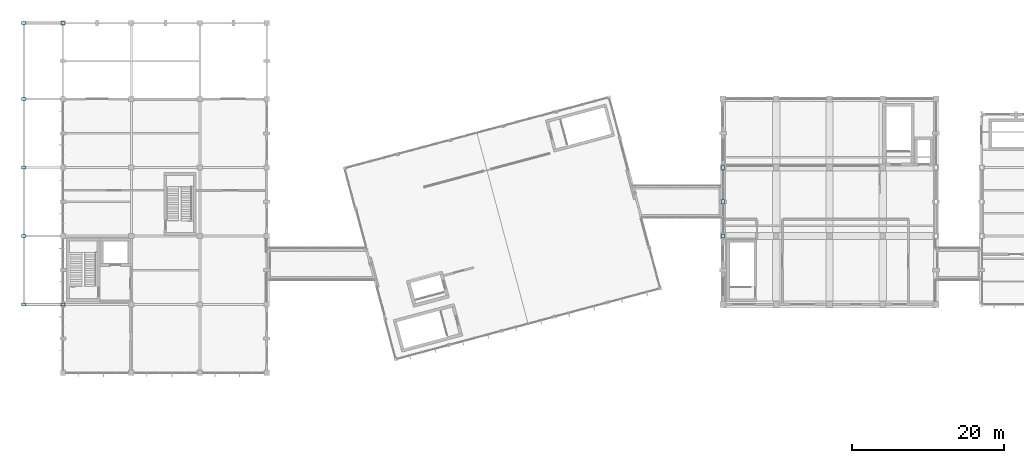
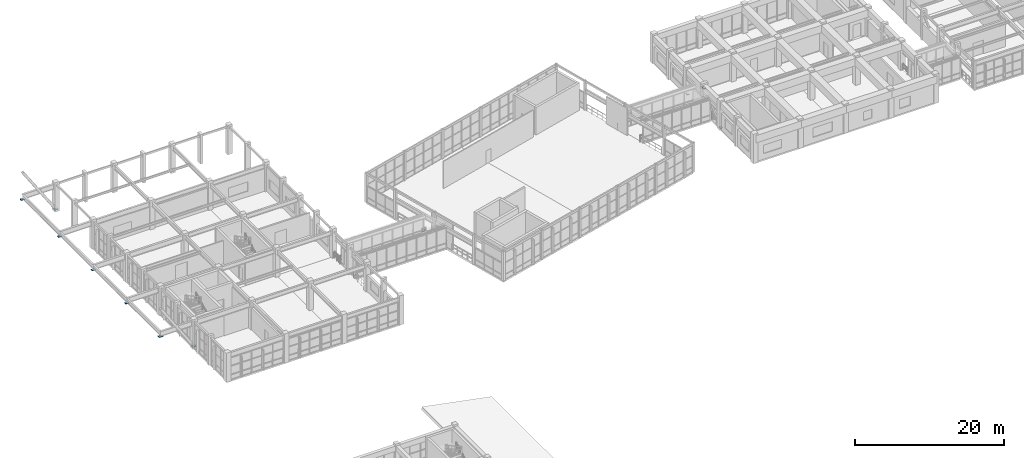
# One storey, part 79 of 99: 10 plates.
"""IFC4 building model written with IfcOpenShell, lengths in metres."""

from ifc_helpers import new_model, si_unit, direction, frame, origin, origin_2d, place, context, subcontext, project, spatial, rectangle, extrude, material, layer, layer_set, type_object, element, save


model = new_model("IFC4")

# Units and contexts
model_context = context("Model", 3, precision=1e-05, world=origin(), true_north=direction((0.0, 1.0)))
body_context = subcontext(model_context, "Body", "Model", "MODEL_VIEW")
ifc_project = project(units=[si_unit("LENGTHUNIT", "METRE"), si_unit("AREAUNIT", "SQUARE_METRE"), si_unit("VOLUMEUNIT", "CUBIC_METRE"), si_unit("PLANEANGLEUNIT", "RADIAN"), si_unit("MASSUNIT", "GRAM", prefix="KILO")], contexts=[model_context])

# Site, building, storey
site_placement = place(None, origin())
site = spatial("IfcSite", under=ifc_project, at=site_placement, CompositionType="ELEMENT")
building_placement = place(site_placement, origin())
building = spatial("IfcBuilding", under=site, at=building_placement, Name="Ventoquebrada Cableway Terminal", CompositionType="ELEMENT")
storey_placement = place(building_placement, frame((0.0, 0.0, 9.60009765625)))
storey = spatial("IfcBuildingStorey", under=building, at=storey_placement, Name="L02", CompositionType="ELEMENT", Elevation=9.60009765625)

# Plates
ifc_material = material(Name="Steel ASTM A572 Grade 50", Category="steel")
ifc_layer = layer(ifc_material, 0.02001953125)
ifc_layer_set = layer_set([ifc_layer], Name="Steel ASTM A572 Grade 50")
plate_type = type_object("IfcPlateType", Name="GP-PL01", PredefinedType="USERDEFINED", material=ifc_layer_set)
plate_placement = place(storey_placement, frame((95.0, 90.5, 3.919921875), z_axis=(0.0, 0.0, 1.0), x_axis=(0.0, 1.0, 0.0)))
element("IfcPlate", 1, at=plate_placement, inside=storey, type_object=plate_type, Name="Chevron brace apex gusset plate GP-060", ObjectType="GUSSET PLATE", PredefinedType="USERDEFINED", context=body_context, shape_type="SweptSolid", body=[
    extrude(rectangle(XDim=0.550048828125, YDim=0.39990234375, at=origin_2d()), origin(), (0.0, 0.0, 1.0), 0.02001953125),
])
for number, where, z_axis, x_axis, name in (
    (2, (95.0, 86.0, 0.159912109375), (0.0, 0.0, 1.0), (0.0, 1.0, 0.0), "Chevron brace base gusset plate GP-061"),
    (3, (95.0, 95.0, 0.159912109375), (0.0, 0.0, 1.0), (0.0, 1.0, 0.0), "Chevron brace base gusset plate GP-062"),
):
    element("IfcPlate", number, at=place(storey_placement, frame(where, z_axis=z_axis, x_axis=x_axis)), inside=storey, type_object=plate_type, Name=name, ObjectType="GUSSET PLATE", PredefinedType="USERDEFINED", context=body_context, shape_type="SweptSolid", body=[
        extrude(rectangle(XDim=0.47998046875, YDim=0.360107421875, at=origin_2d()), origin(), (0.0, 0.0, 1.0), 0.02001953125),
    ])
for number, where, z_axis, x_axis, name in (
    (4, (3.050048828125, 77.0, 3.60888671875), (0.0, 0.0, 1.0), (1.0, 0.0, 0.0), "Raker strut connection plate GP-070"),
    (5, (3.050048828125, 86.0, 3.60888671875), (0.0, 0.0, 1.0), (1.0, 0.0, 0.0), "Raker strut connection plate GP-072"),
    (6, (3.050048828125, 95.0, 3.60888671875), (0.0, 0.0, 1.0), (1.0, 0.0, 0.0), "Raker strut connection plate GP-074"),
    (7, (3.050048828125, 104.0, 3.60888671875), (0.0, 0.0, 1.0), (1.0, 0.0, 0.0), "Raker strut connection plate GP-076"),
    (8, (3.050048828125, 114.0, 3.60888671875), (0.0, 0.0, 1.0), (1.0, 0.0, 0.0), "Raker strut connection plate GP-078"),
    (9, (8.199951171875, 77.0, 0.18994140625), (0.0, 0.0, 1.0), (1.0, 0.0, 0.0), "Raker strut connection plate GP-079"),
    (10, (8.199951171875, 114.0, 0.18994140625), (0.0, 0.0, 1.0), (1.0, 0.0, 0.0), "Raker strut connection plate GP-081"),
):
    element("IfcPlate", number, at=place(storey_placement, frame(where, z_axis=z_axis, x_axis=x_axis)), inside=storey, type_object=plate_type, Name=name, ObjectType="GUSSET PLATE", PredefinedType="USERDEFINED", context=body_context, shape_type="SweptSolid", body=[
        extrude(rectangle(XDim=0.550048828125, YDim=0.39990234375, at=origin_2d()), origin(), (0.0, 0.0, 1.0), 0.02001953125),
    ])

save(model, "model.ifc")
